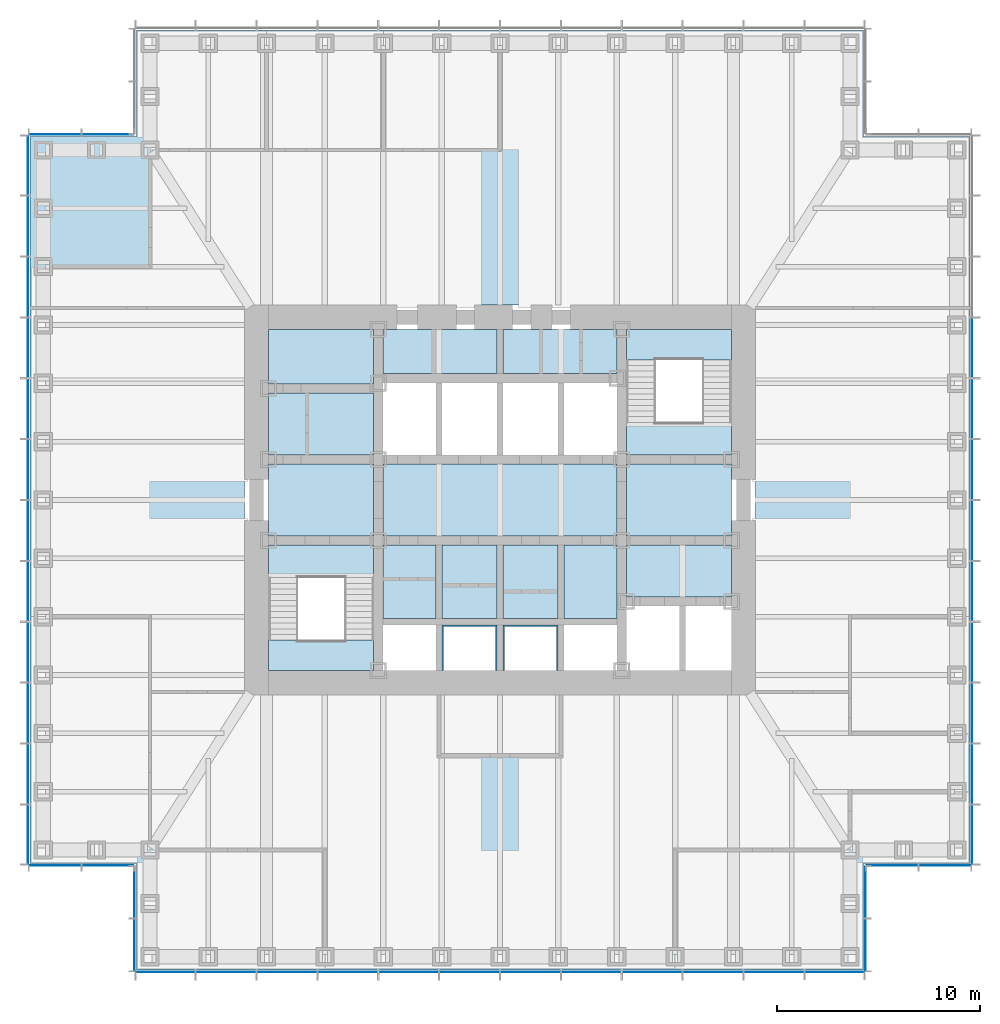
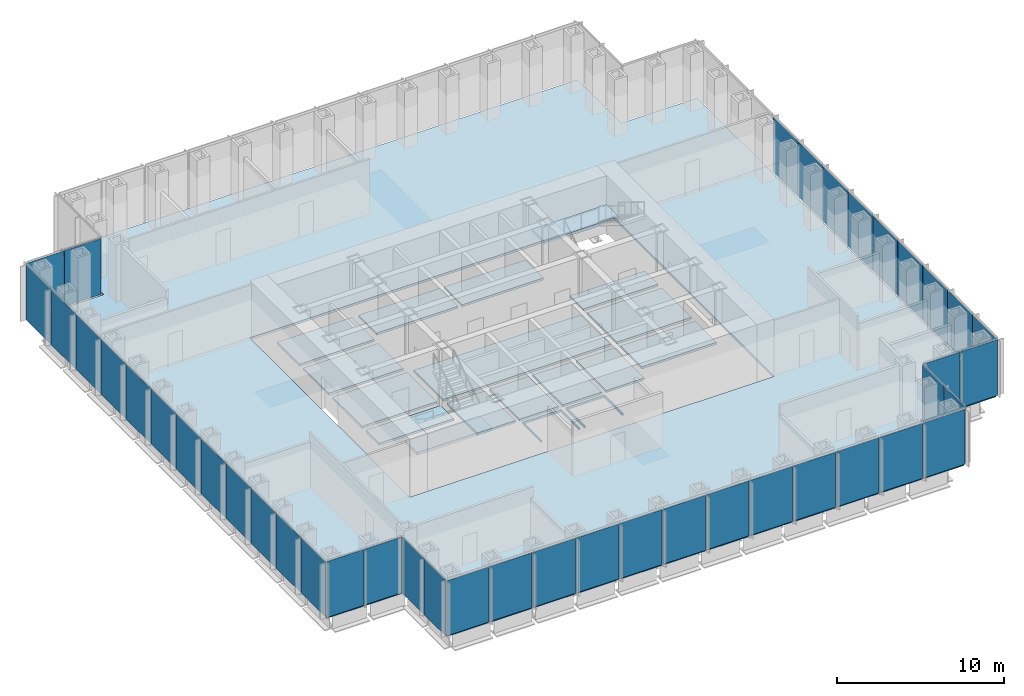
# One storey, part 7 of 16: 43 plates, 19 slabs, 10 elements without a shape of their own.
"""IFC4 building model written with IfcOpenShell, lengths in metres."""

import ifcopenshell
import ifcopenshell.guid

model = None  # the IFC model being written
_history = None  # IfcOwnerHistory: only IFC2X3 demands one
_inside = {}  # id of a spatial element -> (the spatial element, [elements in it])
_under = {}  # id of a project, library or spatial element -> (it, [spatial elements below it])
_declared = {}  # id of a project -> (the project, [libraries it declares])
_typed = {}  # id of a type object -> (the type object, [elements of that type])
_made_of = {}  # id of a material, layer set ... -> (it, [elements and type objects made of it])


def new_model(schema):
    """Start an empty IFC model of exactly this schema.

    Asked for "IFC4X3", IfcOpenShell would pick the latest addendum, in which some entities
    have other attributes; the version numbers below select the first issue.
    IFC2X3 requires an IfcOwnerHistory on every rooted entity: one is made here for all.
    """
    global model, _history
    if schema == "IFC4X3":
        model = ifcopenshell.file(schema_version=(4, 3, 0, 0))
    else:
        model = ifcopenshell.file(schema=schema)
    _inside.clear()
    _under.clear()
    _declared.clear()
    _typed.clear()
    _made_of.clear()
    _history = None
    if model.schema == "IFC2X3":
        org = make("IfcOrganization", Name="unknown")
        user = make(
            "IfcPersonAndOrganization",
            ThePerson=make("IfcPerson", FamilyName="unknown"),
            TheOrganization=org,
        )
        app = make(
            "IfcApplication",
            ApplicationDeveloper=org,
            Version="unknown",
            ApplicationFullName="unknown",
            ApplicationIdentifier="unknown",
        )
        _history = make(
            "IfcOwnerHistory",
            OwningUser=user,
            OwningApplication=app,
            ChangeAction="ADDED",
            CreationDate=0,
        )
    return model


def make(cls, **values):
    """One entity of the class cls with the attributes given. An attribute that is None is left unset."""
    return model.create_entity(
        cls, **{name: value for name, value in values.items() if value is not None}
    )


def rooted(cls, **values):
    """An entity with a GlobalId (a new one), such as an element, a storey or a relation."""
    return make(cls, GlobalId=ifcopenshell.guid.new(), OwnerHistory=_history, **values)


def si_unit(unit_type, name, prefix=None):
    """IfcSIUnit, for example si_unit("LENGTHUNIT", "METRE", prefix="MILLI")."""
    return make("IfcSIUnit", UnitType=unit_type, Prefix=prefix, Name=name)


def assignment(units):
    """IfcUnitAssignment: the units of a project."""
    return None if units is None else make("IfcUnitAssignment", Units=units)


def point(xyz):
    """IfcCartesianPoint."""
    return None if xyz is None else make("IfcCartesianPoint", Coordinates=xyz)


def direction(xyz):
    """IfcDirection."""
    return None if xyz is None else make("IfcDirection", DirectionRatios=xyz)


def frame(location, z_axis=None, x_axis=None):
    """IfcAxis2Placement3D, a coordinate frame: its origin and axes. An axis left out is left unset."""
    return make(
        "IfcAxis2Placement3D",
        Location=point(location),
        Axis=direction(z_axis),
        RefDirection=direction(x_axis),
    )


def frame_2d(location, x_axis=None):
    """IfcAxis2Placement2D, a coordinate frame in the plane: its origin and x axis."""
    return make(
        "IfcAxis2Placement2D", Location=point(location), RefDirection=direction(x_axis)
    )


def origin():
    """The frame at (0, 0, 0) with its axes left unset."""
    return frame((0.0, 0.0, 0.0))


def origin_2d():
    """The frame at (0, 0) in the plane with its x axis left unset."""
    return frame_2d((0.0, 0.0))


def place(relative_to, where):
    """IfcLocalPlacement: puts the frame where relative to a parent placement (None: the world)."""
    return make(
        "IfcLocalPlacement", PlacementRelTo=relative_to, RelativePlacement=where
    )


def context(
    kind, dimensions, precision=None, world=None, true_north=None, identifier=None
):
    """IfcGeometricRepresentationContext, for example the 3D "Model" context."""
    return make(
        "IfcGeometricRepresentationContext",
        ContextIdentifier=identifier,
        ContextType=kind,
        CoordinateSpaceDimension=dimensions,
        Precision=precision,
        WorldCoordinateSystem=world,
        TrueNorth=true_north,
    )


def subcontext(parent, identifier, kind, view, scale=None):
    """IfcGeometricRepresentationSubContext, for example "Body" below "Model"."""
    return make(
        "IfcGeometricRepresentationSubContext",
        ContextIdentifier=identifier,
        ContextType=kind,
        ParentContext=parent,
        TargetScale=scale,
        TargetView=view,
    )


def project(units=None, contexts=None):
    """IfcProject with its units and contexts."""
    return rooted(
        "IfcProject",
        Name="project",
        RepresentationContexts=contexts,
        UnitsInContext=assignment(units),
    )


def spatial(cls, under=None, at=None, **own):
    """A site, building, storey or space (cls), placed at a placement, below another one or the project."""
    s = rooted(cls, ObjectPlacement=at, **own)
    if under is not None:
        _under.setdefault(under.id(), (under, []))[1].append(s)
    return s


def polyline(points):
    """IfcPolyline through the points."""
    return make("IfcPolyline", Points=[point(p) for p in points])


def profile(cls, at=None, kind="AREA", **sizes):
    """A parametric profile (cls). Its sizes go by their IFC names, for example OverallWidth=200.0."""
    return make(cls, ProfileType=kind, Position=at, **sizes)


def rectangle(**sizes):
    """IfcRectangleProfileDef."""
    return profile("IfcRectangleProfileDef", **sizes)


def outline(outer, holes=None, kind="AREA"):
    """IfcArbitraryClosedProfileDef: a profile drawn as a closed curve; with holes, ...WithVoids."""
    if holes is None:
        return make("IfcArbitraryClosedProfileDef", ProfileType=kind, OuterCurve=outer)
    return make(
        "IfcArbitraryProfileDefWithVoids",
        ProfileType=kind,
        OuterCurve=outer,
        InnerCurves=holes,
    )


def extrude(swept, where, along, depth):
    """IfcExtrudedAreaSolid: the profile swept, set in the frame where, extruded along a direction by depth."""
    return make(
        "IfcExtrudedAreaSolid",
        SweptArea=swept,
        Position=where,
        ExtrudedDirection=direction(along),
        Depth=depth,
    )


def shape(context_of_items, identifier, shape_type, items):
    """IfcShapeRepresentation: the items that make up one representation, for example the "Body"."""
    return make(
        "IfcShapeRepresentation",
        ContextOfItems=context_of_items,
        RepresentationIdentifier=identifier,
        RepresentationType=shape_type,
        Items=items,
    )


def material(Name=None, Category=None):
    """IfcMaterial."""
    return make("IfcMaterial", Name=Name, Category=Category)


def layer(
    of_material, thickness, ventilated=None, Name=None, Category=None, Priority=None
):
    """IfcMaterialLayer: one layer of a wall or slab, of a material (None: an air gap)."""
    return make(
        "IfcMaterialLayer",
        Material=of_material,
        LayerThickness=thickness,
        IsVentilated=ventilated,
        Name=Name,
        Category=Category,
        Priority=Priority,
    )


def layer_set(layers, Name=None):
    """IfcMaterialLayerSet."""
    return make("IfcMaterialLayerSet", MaterialLayers=layers, LayerSetName=Name)


def made_of(thing, what):
    """Note that an element or type object is made of a material, layer set ...; save() writes the relation."""
    if what is not None:
        _made_of.setdefault(what.id(), (what, []))[1].append(thing)
    return thing


def type_object(cls, material=None, **own):
    """A type object (cls), such as IfcWallType, which elements share."""
    return made_of(rooted(cls, **own), material)


def element(
    cls,
    number,
    at=None,
    inside=None,
    cuts=None,
    type_object=None,
    material=None,
    context=None,
    identifier="Body",
    shape_type=None,
    held_by="IfcProductDefinitionShape",
    body=None,
    shapes=None,
    **own,
):
    """One element of the class cls, such as IfcWall. Its Tag is "e" and its number.

    at: its placement. inside: the storey or other place that contains it. cuts: it is an
    opening in that element (IfcRelVoidsElement). A single representation is given by context,
    identifier, shape_type and body (its items); several are given by shapes. held_by: the class
    of the entity that holds the representations. save() writes the other relations.
    """
    e = rooted(cls, Tag="e%d" % number, ObjectPlacement=at, **own)
    if body is not None:
        shapes = [shape(context, identifier, shape_type, body)]
    if shapes is not None:
        e.Representation = make(held_by, Representations=shapes)
    if inside is not None:
        _inside.setdefault(inside.id(), (inside, []))[1].append(e)
    if cuts is not None:
        rooted(
            "IfcRelVoidsElement", RelatingBuildingElement=cuts, RelatedOpeningElement=e
        )
    if type_object is not None:
        _typed.setdefault(type_object.id(), (type_object, []))[1].append(e)
    return made_of(e, material)


def aggregate(whole, parts):
    """IfcRelAggregates: a whole, such as a stair, and the parts it consists of."""
    return rooted("IfcRelAggregates", RelatingObject=whole, RelatedObjects=parts)


def save(model, path):
    """Write the relations noted so far, then the file.

    IfcRelAggregates (storeys below a building ...), IfcRelContainedInSpatialStructure (elements
    in a storey), IfcRelDefinesByType, IfcRelAssociatesMaterial and IfcRelDeclares: one each for
    every whole, place, type object, material and project.
    """
    for whole, parts in _under.values():
        aggregate(whole, parts)
    for where, things in _inside.values():
        rooted(
            "IfcRelContainedInSpatialStructure",
            RelatedElements=things,
            RelatingStructure=where,
        )
    for kind, things in _typed.values():
        rooted("IfcRelDefinesByType", RelatedObjects=things, RelatingType=kind)
    for what, things in _made_of.values():
        rooted("IfcRelAssociatesMaterial", RelatedObjects=things, RelatingMaterial=what)
    for by, libraries in _declared.values():
        rooted("IfcRelDeclares", RelatingContext=by, RelatedDefinitions=libraries)
    model.write(path)


model = new_model("IFC4")

# Units and contexts
model_context = context("Model", 3, precision=1e-05, world=origin(), true_north=direction((0.0, 1.0)))
body_context = subcontext(model_context, "Body", "Model", "MODEL_VIEW")
ifc_project = project(units=[si_unit("LENGTHUNIT", "METRE"), si_unit("AREAUNIT", "SQUARE_METRE"), si_unit("VOLUMEUNIT", "CUBIC_METRE"), si_unit("PLANEANGLEUNIT", "RADIAN"), si_unit("MASSUNIT", "GRAM", prefix="KILO")], contexts=[model_context])

# Site, building, storey
site_placement = place(None, origin())
site = spatial("IfcSite", under=ifc_project, at=site_placement, CompositionType="ELEMENT")
building_placement = place(site_placement, origin())
building = spatial("IfcBuilding", under=site, at=building_placement, Name="Daluyong Arena Tower", CompositionType="ELEMENT")
storey_placement = place(building_placement, frame((0.0, 0.0, 137.5)))
storey = spatial("IfcBuildingStorey", under=building, at=storey_placement, Name="L30", CompositionType="ELEMENT", Elevation=137.5)

# Curtain wall, plates
ifc_material_1 = material(Name="Bronze anodised aluminium and glass", Category="aluminium")
curtain_wall_type_1 = type_object("IfcCurtainWallType", Name="Curtain wall CW2", PredefinedType="USERDEFINED", material=ifc_material_1)
curtain_wall_1_placement = place(storey_placement, origin())
curtain_wall_1 = element("IfcCurtainWall", 1, at=curtain_wall_1_placement, inside=storey, type_object=curtain_wall_type_1, Name="curtain wall L30 S", ObjectType="UNITISED CURTAIN WALL", PredefinedType="USERDEFINED")
ifc_material_2 = material(Name="Tinted double glazed unit", Category="glass")
ifc_layer_1 = layer(ifc_material_2, 0.031982421875)
ifc_layer_set_1 = layer_set([ifc_layer_1], Name="Tinted double glazed unit")
plate_type_1 = type_object("IfcPlateType", Name="CW2 panel 32", PredefinedType="CURTAIN_PANEL", material=ifc_layer_set_1)
plate_1_placement = place(storey_placement, frame((39.52001953125, 56.75, 0.0), z_axis=(0.0, 0.0, 1.0), x_axis=(1.0, 0.0, 0.0)))
plate_1 = element("IfcPlate", 2, at=plate_1_placement, type_object=plate_type_1, Name="curtain wall L30 S panel 1", PredefinedType="CURTAIN_PANEL", context=body_context, shape_type="SweptSolid", body=[
    extrude(rectangle(XDim=2.8798828125, YDim=0.031982421875, at=origin_2d()), origin(), (0.0, 0.0, 1.0), 4.02001953125),
])
plate_2_placement = place(storey_placement, frame((42.5, 56.75, 0.0), z_axis=(0.0, 0.0, 1.0), x_axis=(1.0, 0.0, 0.0)))
plate_2 = element("IfcPlate", 3, at=plate_2_placement, type_object=plate_type_1, Name="curtain wall L30 S panel 2", PredefinedType="CURTAIN_PANEL", context=body_context, shape_type="SweptSolid", body=[
    extrude(rectangle(XDim=2.919921875, YDim=0.031982421875, at=origin_2d()), origin(), (0.0, 0.0, 1.0), 4.02001953125),
])
plate_3_placement = place(storey_placement, frame((45.5, 56.75, 0.0), z_axis=(0.0, 0.0, 1.0), x_axis=(1.0, 0.0, 0.0)))
plate_3 = element("IfcPlate", 4, at=plate_3_placement, type_object=plate_type_1, Name="curtain wall L30 S panel 3", PredefinedType="CURTAIN_PANEL", context=body_context, shape_type="SweptSolid", body=[
    extrude(rectangle(XDim=2.919921875, YDim=0.031982421875, at=origin_2d()), origin(), (0.0, 0.0, 1.0), 4.02001953125),
])
plate_4_placement = place(storey_placement, frame((48.5, 56.75, 0.0), z_axis=(0.0, 0.0, 1.0), x_axis=(1.0, 0.0, 0.0)))
plate_4 = element("IfcPlate", 5, at=plate_4_placement, type_object=plate_type_1, Name="curtain wall L30 S panel 4", PredefinedType="CURTAIN_PANEL", context=body_context, shape_type="SweptSolid", body=[
    extrude(rectangle(XDim=2.919921875, YDim=0.031982421875, at=origin_2d()), origin(), (0.0, 0.0, 1.0), 4.02001953125),
])
plate_5_placement = place(storey_placement, frame((51.5, 56.75, 0.0), z_axis=(0.0, 0.0, 1.0), x_axis=(1.0, 0.0, 0.0)))
plate_5 = element("IfcPlate", 6, at=plate_5_placement, type_object=plate_type_1, Name="curtain wall L30 S panel 5", PredefinedType="CURTAIN_PANEL", context=body_context, shape_type="SweptSolid", body=[
    extrude(rectangle(XDim=2.919921875, YDim=0.031982421875, at=origin_2d()), origin(), (0.0, 0.0, 1.0), 4.02001953125),
])
plate_6_placement = place(storey_placement, frame((54.5, 56.75, 0.0), z_axis=(0.0, 0.0, 1.0), x_axis=(1.0, 0.0, 0.0)))
plate_6 = element("IfcPlate", 7, at=plate_6_placement, type_object=plate_type_1, Name="curtain wall L30 S panel 6", PredefinedType="CURTAIN_PANEL", context=body_context, shape_type="SweptSolid", body=[
    extrude(rectangle(XDim=2.919921875, YDim=0.031982421875, at=origin_2d()), origin(), (0.0, 0.0, 1.0), 4.02001953125),
])
plate_7_placement = place(storey_placement, frame((57.5, 56.75, 0.0), z_axis=(0.0, 0.0, 1.0), x_axis=(1.0, 0.0, 0.0)))
plate_7 = element("IfcPlate", 8, at=plate_7_placement, type_object=plate_type_1, Name="curtain wall L30 S panel 7", PredefinedType="CURTAIN_PANEL", context=body_context, shape_type="SweptSolid", body=[
    extrude(rectangle(XDim=2.919921875, YDim=0.031982421875, at=origin_2d()), origin(), (0.0, 0.0, 1.0), 4.02001953125),
])
plate_8_placement = place(storey_placement, frame((60.5, 56.75, 0.0), z_axis=(0.0, 0.0, 1.0), x_axis=(1.0, 0.0, 0.0)))
plate_8 = element("IfcPlate", 9, at=plate_8_placement, type_object=plate_type_1, Name="curtain wall L30 S panel 8", PredefinedType="CURTAIN_PANEL", context=body_context, shape_type="SweptSolid", body=[
    extrude(rectangle(XDim=2.919921875, YDim=0.031982421875, at=origin_2d()), origin(), (0.0, 0.0, 1.0), 4.02001953125),
])
plate_9_placement = place(storey_placement, frame((63.5, 56.75, 0.0), z_axis=(0.0, 0.0, 1.0), x_axis=(1.0, 0.0, 0.0)))
plate_9 = element("IfcPlate", 10, at=plate_9_placement, type_object=plate_type_1, Name="curtain wall L30 S panel 9", PredefinedType="CURTAIN_PANEL", context=body_context, shape_type="SweptSolid", body=[
    extrude(rectangle(XDim=2.919921875, YDim=0.031982421875, at=origin_2d()), origin(), (0.0, 0.0, 1.0), 4.02001953125),
])
plate_10_placement = place(storey_placement, frame((66.5, 56.75, 0.0), z_axis=(0.0, 0.0, 1.0), x_axis=(1.0, 0.0, 0.0)))
plate_10 = element("IfcPlate", 11, at=plate_10_placement, type_object=plate_type_1, Name="curtain wall L30 S panel 10", PredefinedType="CURTAIN_PANEL", context=body_context, shape_type="SweptSolid", body=[
    extrude(rectangle(XDim=2.919921875, YDim=0.031982421875, at=origin_2d()), origin(), (0.0, 0.0, 1.0), 4.02001953125),
])
plate_11_placement = place(storey_placement, frame((69.5, 56.75, 0.0), z_axis=(0.0, 0.0, 1.0), x_axis=(1.0, 0.0, 0.0)))
plate_11 = element("IfcPlate", 12, at=plate_11_placement, type_object=plate_type_1, Name="curtain wall L30 S panel 11", PredefinedType="CURTAIN_PANEL", context=body_context, shape_type="SweptSolid", body=[
    extrude(rectangle(XDim=2.919921875, YDim=0.031982421875, at=origin_2d()), origin(), (0.0, 0.0, 1.0), 4.02001953125),
])
plate_12_placement = place(storey_placement, frame((72.47998046875, 56.75, 0.0), z_axis=(0.0, 0.0, 1.0), x_axis=(1.0, 0.0, 0.0)))
plate_12 = element("IfcPlate", 13, at=plate_12_placement, type_object=plate_type_1, Name="curtain wall L30 S panel 12", PredefinedType="CURTAIN_PANEL", context=body_context, shape_type="SweptSolid", body=[
    extrude(rectangle(XDim=2.8798828125, YDim=0.031982421875, at=origin_2d()), origin(), (0.0, 0.0, 1.0), 4.02001953125),
])
aggregate(curtain_wall_1, [plate_1, plate_2, plate_3, plate_4, plate_5, plate_6, plate_7, plate_8, plate_9, plate_10, plate_11, plate_12])

curtain_wall_2_placement = place(storey_placement, origin())
curtain_wall_2 = element("IfcCurtainWall", 14, at=curtain_wall_2_placement, inside=storey, type_object=curtain_wall_type_1, Name="curtain wall L30 E", ObjectType="UNITISED CURTAIN WALL", PredefinedType="USERDEFINED")
plate_13_placement = place(storey_placement, frame((79.25, 63.52001953125, 0.0), z_axis=(0.0, 0.0, 1.0), x_axis=(0.0, 1.0, 0.0)))
plate_13 = element("IfcPlate", 15, at=plate_13_placement, type_object=plate_type_1, Name="curtain wall L30 E panel 1", PredefinedType="CURTAIN_PANEL", context=body_context, shape_type="SweptSolid", body=[
    extrude(rectangle(XDim=2.8798828125, YDim=0.031982421875, at=origin_2d()), origin(), (0.0, 0.0, 1.0), 4.02001953125),
])
plate_14_placement = place(storey_placement, frame((79.25, 66.5, 0.0), z_axis=(0.0, 0.0, 1.0), x_axis=(0.0, 1.0, 0.0)))
plate_14 = element("IfcPlate", 16, at=plate_14_placement, type_object=plate_type_1, Name="curtain wall L30 E panel 2", PredefinedType="CURTAIN_PANEL", context=body_context, shape_type="SweptSolid", body=[
    extrude(rectangle(XDim=2.919921875, YDim=0.031982421875, at=origin_2d()), origin(), (0.0, 0.0, 1.0), 4.02001953125),
])
plate_15_placement = place(storey_placement, frame((79.25, 69.5, 0.0), z_axis=(0.0, 0.0, 1.0), x_axis=(0.0, 1.0, 0.0)))
plate_15 = element("IfcPlate", 17, at=plate_15_placement, type_object=plate_type_1, Name="curtain wall L30 E panel 3", PredefinedType="CURTAIN_PANEL", context=body_context, shape_type="SweptSolid", body=[
    extrude(rectangle(XDim=2.919921875, YDim=0.031982421875, at=origin_2d()), origin(), (0.0, 0.0, 1.0), 4.02001953125),
])
plate_16_placement = place(storey_placement, frame((79.25, 72.5, 0.0), z_axis=(0.0, 0.0, 1.0), x_axis=(0.0, 1.0, 0.0)))
plate_16 = element("IfcPlate", 18, at=plate_16_placement, type_object=plate_type_1, Name="curtain wall L30 E panel 4", PredefinedType="CURTAIN_PANEL", context=body_context, shape_type="SweptSolid", body=[
    extrude(rectangle(XDim=2.919921875, YDim=0.031982421875, at=origin_2d()), origin(), (0.0, 0.0, 1.0), 4.02001953125),
])
plate_17_placement = place(storey_placement, frame((79.25, 75.5, 0.0), z_axis=(0.0, 0.0, 1.0), x_axis=(0.0, 1.0, 0.0)))
plate_17 = element("IfcPlate", 19, at=plate_17_placement, type_object=plate_type_1, Name="curtain wall L30 E panel 5", PredefinedType="CURTAIN_PANEL", context=body_context, shape_type="SweptSolid", body=[
    extrude(rectangle(XDim=2.919921875, YDim=0.031982421875, at=origin_2d()), origin(), (0.0, 0.0, 1.0), 4.02001953125),
])
plate_18_placement = place(storey_placement, frame((79.25, 78.5, 0.0), z_axis=(0.0, 0.0, 1.0), x_axis=(0.0, 1.0, 0.0)))
plate_18 = element("IfcPlate", 20, at=plate_18_placement, type_object=plate_type_1, Name="curtain wall L30 E panel 6", PredefinedType="CURTAIN_PANEL", context=body_context, shape_type="SweptSolid", body=[
    extrude(rectangle(XDim=2.919921875, YDim=0.031982421875, at=origin_2d()), origin(), (0.0, 0.0, 1.0), 4.02001953125),
])
plate_19_placement = place(storey_placement, frame((79.25, 81.5, 0.0), z_axis=(0.0, 0.0, 1.0), x_axis=(0.0, 1.0, 0.0)))
plate_19 = element("IfcPlate", 21, at=plate_19_placement, type_object=plate_type_1, Name="curtain wall L30 E panel 7", PredefinedType="CURTAIN_PANEL", context=body_context, shape_type="SweptSolid", body=[
    extrude(rectangle(XDim=2.919921875, YDim=0.031982421875, at=origin_2d()), origin(), (0.0, 0.0, 1.0), 4.02001953125),
])
plate_20_placement = place(storey_placement, frame((79.25, 84.5, 0.0), z_axis=(0.0, 0.0, 1.0), x_axis=(0.0, 1.0, 0.0)))
plate_20 = element("IfcPlate", 22, at=plate_20_placement, type_object=plate_type_1, Name="curtain wall L30 E panel 8", PredefinedType="CURTAIN_PANEL", context=body_context, shape_type="SweptSolid", body=[
    extrude(rectangle(XDim=2.919921875, YDim=0.031982421875, at=origin_2d()), origin(), (0.0, 0.0, 1.0), 4.02001953125),
])
plate_21_placement = place(storey_placement, frame((79.25, 87.5, 0.0), z_axis=(0.0, 0.0, 1.0), x_axis=(0.0, 1.0, 0.0)))
plate_21 = element("IfcPlate", 23, at=plate_21_placement, type_object=plate_type_1, Name="curtain wall L30 E panel 9", PredefinedType="CURTAIN_PANEL", context=body_context, shape_type="SweptSolid", body=[
    extrude(rectangle(XDim=2.919921875, YDim=0.031982421875, at=origin_2d()), origin(), (0.0, 0.0, 1.0), 4.02001953125),
])
aggregate(curtain_wall_2, [plate_13, plate_14, plate_15, plate_16, plate_17, plate_18, plate_19, plate_20, plate_21])

curtain_wall_3_placement = place(storey_placement, origin())
curtain_wall_3 = element("IfcCurtainWall", 24, at=curtain_wall_3_placement, inside=storey, type_object=curtain_wall_type_1, Name="curtain wall L30 W", ObjectType="UNITISED CURTAIN WALL", PredefinedType="USERDEFINED")
plate_22_placement = place(storey_placement, frame((32.75, 96.47998046875, 0.0), z_axis=(0.0, 0.0, 1.0), x_axis=(0.0, -1.0, 0.0)))
plate_22 = element("IfcPlate", 25, at=plate_22_placement, type_object=plate_type_1, Name="curtain wall L30 W panel 1", PredefinedType="CURTAIN_PANEL", context=body_context, shape_type="SweptSolid", body=[
    extrude(rectangle(XDim=2.8798828125, YDim=0.031982421875, at=origin_2d()), origin(), (0.0, 0.0, 1.0), 4.02001953125),
])
plate_23_placement = place(storey_placement, frame((32.75, 93.5, 0.0), z_axis=(0.0, 0.0, 1.0), x_axis=(0.0, -1.0, 0.0)))
plate_23 = element("IfcPlate", 26, at=plate_23_placement, type_object=plate_type_1, Name="curtain wall L30 W panel 2", PredefinedType="CURTAIN_PANEL", context=body_context, shape_type="SweptSolid", body=[
    extrude(rectangle(XDim=2.919921875, YDim=0.031982421875, at=origin_2d()), origin(), (0.0, 0.0, 1.0), 4.02001953125),
])
plate_24_placement = place(storey_placement, frame((32.75, 90.5, 0.0), z_axis=(0.0, 0.0, 1.0), x_axis=(0.0, -1.0, 0.0)))
plate_24 = element("IfcPlate", 27, at=plate_24_placement, type_object=plate_type_1, Name="curtain wall L30 W panel 3", PredefinedType="CURTAIN_PANEL", context=body_context, shape_type="SweptSolid", body=[
    extrude(rectangle(XDim=2.919921875, YDim=0.031982421875, at=origin_2d()), origin(), (0.0, 0.0, 1.0), 4.02001953125),
])
plate_25_placement = place(storey_placement, frame((32.75, 87.5, 0.0), z_axis=(0.0, 0.0, 1.0), x_axis=(0.0, -1.0, 0.0)))
plate_25 = element("IfcPlate", 28, at=plate_25_placement, type_object=plate_type_1, Name="curtain wall L30 W panel 4", PredefinedType="CURTAIN_PANEL", context=body_context, shape_type="SweptSolid", body=[
    extrude(rectangle(XDim=2.919921875, YDim=0.031982421875, at=origin_2d()), origin(), (0.0, 0.0, 1.0), 4.02001953125),
])
plate_26_placement = place(storey_placement, frame((32.75, 84.5, 0.0), z_axis=(0.0, 0.0, 1.0), x_axis=(0.0, -1.0, 0.0)))
plate_26 = element("IfcPlate", 29, at=plate_26_placement, type_object=plate_type_1, Name="curtain wall L30 W panel 5", PredefinedType="CURTAIN_PANEL", context=body_context, shape_type="SweptSolid", body=[
    extrude(rectangle(XDim=2.919921875, YDim=0.031982421875, at=origin_2d()), origin(), (0.0, 0.0, 1.0), 4.02001953125),
])
plate_27_placement = place(storey_placement, frame((32.75, 81.5, 0.0), z_axis=(0.0, 0.0, 1.0), x_axis=(0.0, -1.0, 0.0)))
plate_27 = element("IfcPlate", 30, at=plate_27_placement, type_object=plate_type_1, Name="curtain wall L30 W panel 6", PredefinedType="CURTAIN_PANEL", context=body_context, shape_type="SweptSolid", body=[
    extrude(rectangle(XDim=2.919921875, YDim=0.031982421875, at=origin_2d()), origin(), (0.0, 0.0, 1.0), 4.02001953125),
])
plate_28_placement = place(storey_placement, frame((32.75, 78.5, 0.0), z_axis=(0.0, 0.0, 1.0), x_axis=(0.0, -1.0, 0.0)))
plate_28 = element("IfcPlate", 31, at=plate_28_placement, type_object=plate_type_1, Name="curtain wall L30 W panel 7", PredefinedType="CURTAIN_PANEL", context=body_context, shape_type="SweptSolid", body=[
    extrude(rectangle(XDim=2.919921875, YDim=0.031982421875, at=origin_2d()), origin(), (0.0, 0.0, 1.0), 4.02001953125),
])
plate_29_placement = place(storey_placement, frame((32.75, 75.5, 0.0), z_axis=(0.0, 0.0, 1.0), x_axis=(0.0, -1.0, 0.0)))
plate_29 = element("IfcPlate", 32, at=plate_29_placement, type_object=plate_type_1, Name="curtain wall L30 W panel 8", PredefinedType="CURTAIN_PANEL", context=body_context, shape_type="SweptSolid", body=[
    extrude(rectangle(XDim=2.919921875, YDim=0.031982421875, at=origin_2d()), origin(), (0.0, 0.0, 1.0), 4.02001953125),
])
plate_30_placement = place(storey_placement, frame((32.75, 72.5, 0.0), z_axis=(0.0, 0.0, 1.0), x_axis=(0.0, -1.0, 0.0)))
plate_30 = element("IfcPlate", 33, at=plate_30_placement, type_object=plate_type_1, Name="curtain wall L30 W panel 9", PredefinedType="CURTAIN_PANEL", context=body_context, shape_type="SweptSolid", body=[
    extrude(rectangle(XDim=2.919921875, YDim=0.031982421875, at=origin_2d()), origin(), (0.0, 0.0, 1.0), 4.02001953125),
])
plate_31_placement = place(storey_placement, frame((32.75, 69.5, 0.0), z_axis=(0.0, 0.0, 1.0), x_axis=(0.0, -1.0, 0.0)))
plate_31 = element("IfcPlate", 34, at=plate_31_placement, type_object=plate_type_1, Name="curtain wall L30 W panel 10", PredefinedType="CURTAIN_PANEL", context=body_context, shape_type="SweptSolid", body=[
    extrude(rectangle(XDim=2.919921875, YDim=0.031982421875, at=origin_2d()), origin(), (0.0, 0.0, 1.0), 4.02001953125),
])
plate_32_placement = place(storey_placement, frame((32.75, 66.5, 0.0), z_axis=(0.0, 0.0, 1.0), x_axis=(0.0, -1.0, 0.0)))
plate_32 = element("IfcPlate", 35, at=plate_32_placement, type_object=plate_type_1, Name="curtain wall L30 W panel 11", PredefinedType="CURTAIN_PANEL", context=body_context, shape_type="SweptSolid", body=[
    extrude(rectangle(XDim=2.919921875, YDim=0.031982421875, at=origin_2d()), origin(), (0.0, 0.0, 1.0), 4.02001953125),
])
plate_33_placement = place(storey_placement, frame((32.75, 63.52001953125, 0.0), z_axis=(0.0, 0.0, 1.0), x_axis=(0.0, -1.0, 0.0)))
plate_33 = element("IfcPlate", 36, at=plate_33_placement, type_object=plate_type_1, Name="curtain wall L30 W panel 12", PredefinedType="CURTAIN_PANEL", context=body_context, shape_type="SweptSolid", body=[
    extrude(rectangle(XDim=2.8798828125, YDim=0.031982421875, at=origin_2d()), origin(), (0.0, 0.0, 1.0), 4.02001953125),
])
aggregate(curtain_wall_3, [plate_22, plate_23, plate_24, plate_25, plate_26, plate_27, plate_28, plate_29, plate_30, plate_31, plate_32, plate_33])

ifc_material_3 = material(Name="Bronze anodised aluminium and glass", Category="aluminium")
curtain_wall_type_2 = type_object("IfcCurtainWallType", Name="Curtain wall CW7", PredefinedType="USERDEFINED", material=ifc_material_3)
curtain_wall_4_placement = place(storey_placement, origin())
curtain_wall_4 = element("IfcCurtainWall", 37, at=curtain_wall_4_placement, inside=storey, type_object=curtain_wall_type_2, Name="curtain wall L30 SE-E", ObjectType="UNITISED CURTAIN WALL", PredefinedType="USERDEFINED")
ifc_material_4 = material(Name="Tinted double glazed unit", Category="glass")
ifc_layer_2 = layer(ifc_material_4, 0.028076171875)
ifc_layer_set_2 = layer_set([ifc_layer_2], Name="Tinted double glazed unit")
plate_type_2 = type_object("IfcPlateType", Name="CW7 panel 28", PredefinedType="CURTAIN_PANEL", material=ifc_layer_set_2)
plate_34_placement = place(storey_placement, frame((74.0, 58.077392578125, 0.0), z_axis=(0.0, 0.0, 1.0), x_axis=(0.0, 1.0, 0.0)))
plate_34 = element("IfcPlate", 38, at=plate_34_placement, type_object=plate_type_2, Name="curtain wall L30 SE-E panel 1", PredefinedType="CURTAIN_PANEL", context=body_context, shape_type="SweptSolid", body=[
    extrude(rectangle(XDim=2.534912109375, YDim=0.028076171875, at=origin_2d()), origin(), (0.0, 0.0, 1.0), 4.080078125),
])
plate_35_placement = place(storey_placement, frame((74.0, 60.672607421875, 0.0), z_axis=(0.0, 0.0, 1.0), x_axis=(0.0, 1.0, 0.0)))
plate_35 = element("IfcPlate", 39, at=plate_35_placement, type_object=plate_type_2, Name="curtain wall L30 SE-E panel 2", PredefinedType="CURTAIN_PANEL", context=body_context, shape_type="SweptSolid", body=[
    extrude(rectangle(XDim=2.534912109375, YDim=0.028076171875, at=origin_2d()), origin(), (0.0, 0.0, 1.0), 4.080078125),
])
aggregate(curtain_wall_4, [plate_34, plate_35])

curtain_wall_5_placement = place(storey_placement, origin())
curtain_wall_5 = element("IfcCurtainWall", 40, at=curtain_wall_5_placement, inside=storey, type_object=curtain_wall_type_2, Name="curtain wall L30 SE-S", ObjectType="UNITISED CURTAIN WALL", PredefinedType="USERDEFINED")
plate_36_placement = place(storey_placement, frame((75.327392578125, 62.0, 0.0), z_axis=(0.0, 0.0, 1.0), x_axis=(1.0, 0.0, 0.0)))
plate_36 = element("IfcPlate", 41, at=plate_36_placement, type_object=plate_type_2, Name="curtain wall L30 SE-S panel 1", PredefinedType="CURTAIN_PANEL", context=body_context, shape_type="SweptSolid", body=[
    extrude(rectangle(XDim=2.534912109375, YDim=0.028076171875, at=origin_2d()), origin(), (0.0, 0.0, 1.0), 4.080078125),
])
plate_37_placement = place(storey_placement, frame((77.922607421875, 62.0, 0.0), z_axis=(0.0, 0.0, 1.0), x_axis=(1.0, 0.0, 0.0)))
plate_37 = element("IfcPlate", 42, at=plate_37_placement, type_object=plate_type_2, Name="curtain wall L30 SE-S panel 2", PredefinedType="CURTAIN_PANEL", context=body_context, shape_type="SweptSolid", body=[
    extrude(rectangle(XDim=2.534912109375, YDim=0.028076171875, at=origin_2d()), origin(), (0.0, 0.0, 1.0), 4.080078125),
])
aggregate(curtain_wall_5, [plate_36, plate_37])

curtain_wall_6_placement = place(storey_placement, origin())
curtain_wall_6 = element("IfcCurtainWall", 43, at=curtain_wall_6_placement, inside=storey, type_object=curtain_wall_type_2, Name="curtain wall L30 NW-N", ObjectType="UNITISED CURTAIN WALL", PredefinedType="USERDEFINED")
plate_38_placement = place(storey_placement, frame((36.672607421875, 98.0, 0.0), z_axis=(0.0, 0.0, 1.0), x_axis=(-1.0, 0.0, 0.0)))
plate_38 = element("IfcPlate", 44, at=plate_38_placement, type_object=plate_type_2, Name="curtain wall L30 NW-N panel 1", PredefinedType="CURTAIN_PANEL", context=body_context, shape_type="SweptSolid", body=[
    extrude(rectangle(XDim=2.534912109375, YDim=0.028076171875, at=origin_2d()), origin(), (0.0, 0.0, 1.0), 4.080078125),
])
plate_39_placement = place(storey_placement, frame((34.077392578125, 98.0, 0.0), z_axis=(0.0, 0.0, 1.0), x_axis=(-1.0, 0.0, 0.0)))
plate_39 = element("IfcPlate", 45, at=plate_39_placement, type_object=plate_type_2, Name="curtain wall L30 NW-N panel 2", PredefinedType="CURTAIN_PANEL", context=body_context, shape_type="SweptSolid", body=[
    extrude(rectangle(XDim=2.534912109375, YDim=0.028076171875, at=origin_2d()), origin(), (0.0, 0.0, 1.0), 4.080078125),
])
aggregate(curtain_wall_6, [plate_38, plate_39])

curtain_wall_7_placement = place(storey_placement, origin())
curtain_wall_7 = element("IfcCurtainWall", 46, at=curtain_wall_7_placement, inside=storey, type_object=curtain_wall_type_2, Name="curtain wall L30 SW-S", ObjectType="UNITISED CURTAIN WALL", PredefinedType="USERDEFINED")
plate_40_placement = place(storey_placement, frame((34.077392578125, 62.0, 0.0), z_axis=(0.0, 0.0, 1.0), x_axis=(1.0, 0.0, 0.0)))
plate_40 = element("IfcPlate", 47, at=plate_40_placement, type_object=plate_type_2, Name="curtain wall L30 SW-S panel 1", PredefinedType="CURTAIN_PANEL", context=body_context, shape_type="SweptSolid", body=[
    extrude(rectangle(XDim=2.534912109375, YDim=0.028076171875, at=origin_2d()), origin(), (0.0, 0.0, 1.0), 4.080078125),
])
plate_41_placement = place(storey_placement, frame((36.672607421875, 62.0, 0.0), z_axis=(0.0, 0.0, 1.0), x_axis=(1.0, 0.0, 0.0)))
plate_41 = element("IfcPlate", 48, at=plate_41_placement, type_object=plate_type_2, Name="curtain wall L30 SW-S panel 2", PredefinedType="CURTAIN_PANEL", context=body_context, shape_type="SweptSolid", body=[
    extrude(rectangle(XDim=2.534912109375, YDim=0.028076171875, at=origin_2d()), origin(), (0.0, 0.0, 1.0), 4.080078125),
])
aggregate(curtain_wall_7, [plate_40, plate_41])

curtain_wall_8_placement = place(storey_placement, origin())
curtain_wall_8 = element("IfcCurtainWall", 49, at=curtain_wall_8_placement, inside=storey, type_object=curtain_wall_type_2, Name="curtain wall L30 SW-W", ObjectType="UNITISED CURTAIN WALL", PredefinedType="USERDEFINED")
plate_42_placement = place(storey_placement, frame((38.0, 60.672607421875, 0.0), z_axis=(0.0, 0.0, 1.0), x_axis=(0.0, -1.0, 0.0)))
plate_42 = element("IfcPlate", 50, at=plate_42_placement, type_object=plate_type_2, Name="curtain wall L30 SW-W panel 1", PredefinedType="CURTAIN_PANEL", context=body_context, shape_type="SweptSolid", body=[
    extrude(rectangle(XDim=2.534912109375, YDim=0.028076171875, at=origin_2d()), origin(), (0.0, 0.0, 1.0), 4.080078125),
])
plate_43_placement = place(storey_placement, frame((38.0, 58.077392578125, 0.0), z_axis=(0.0, 0.0, 1.0), x_axis=(0.0, -1.0, 0.0)))
plate_43 = element("IfcPlate", 51, at=plate_43_placement, type_object=plate_type_2, Name="curtain wall L30 SW-W panel 2", PredefinedType="CURTAIN_PANEL", context=body_context, shape_type="SweptSolid", body=[
    extrude(rectangle(XDim=2.534912109375, YDim=0.028076171875, at=origin_2d()), origin(), (0.0, 0.0, 1.0), 4.080078125),
])
aggregate(curtain_wall_8, [plate_42, plate_43])

# Stair, slab
ifc_material_5 = material(Name="Concrete fc' 35 MPa", Category="concrete")
stair_type = type_object("IfcStairType", Name="Core exit stair", PredefinedType="HALF_TURN_STAIR", material=ifc_material_5)
stair_1_placement = place(storey_placement, origin())
stair_1 = element("IfcStair", 52, at=stair_1_placement, inside=storey, type_object=stair_type, Name="exit stair A L30", PredefinedType="HALF_TURN_STAIR")
ifc_material_6 = material(Name="Concrete fc' 35 MPa", Category="concrete")
ifc_layer_3 = layer(ifc_material_6, 0.199951171875)
ifc_layer_set_3 = layer_set([ifc_layer_3], Name="Concrete fc' 35 MPa")
slab_type_1 = type_object("IfcSlabType", Name="Stair landing 200", PredefinedType="LANDING", material=ifc_layer_set_3)
slab_1_placement = place(storey_placement, frame((0.0, 0.0, 1.89990234375)))
slab_1 = element("IfcSlab", 53, at=slab_1_placement, type_object=slab_type_1, Name="STA landing 1", PredefinedType="LANDING", context=body_context, shape_type="SweptSolid", body=[
    extrude(outline(polyline([(44.60009765625, 71.60009765625), (49.77490234375, 71.60009765625), (49.77490234375, 73.094970703125), (44.60009765625, 73.094970703125), (44.60009765625, 71.60009765625)])), origin(), (0.0, 0.0, 1.0), 0.2001953125),
])
aggregate(stair_1, [slab_1])

stair_2_placement = place(storey_placement, origin())
stair_2 = element("IfcStair", 54, at=stair_2_placement, inside=storey, type_object=stair_type, Name="exit stair B L30", PredefinedType="HALF_TURN_STAIR")
slab_2_placement = place(storey_placement, frame((0.0, 0.0, 1.89990234375)))
slab_2 = element("IfcSlab", 55, at=slab_2_placement, type_object=slab_type_1, Name="STB landing 1", PredefinedType="LANDING", context=body_context, shape_type="SweptSolid", body=[
    extrude(outline(polyline([(62.22509765625, 86.905029296875), (67.39990234375, 86.905029296875), (67.39990234375, 88.39990234375), (62.22509765625, 88.39990234375), (62.22509765625, 86.905029296875)])), origin(), (0.0, 0.0, 1.0), 0.2001953125),
])
aggregate(stair_2, [slab_2])

# Slabs
ifc_material_7 = material(Name="Concrete fc' 35 MPa", Category="concrete")
ifc_layer_4 = layer(ifc_material_7, 0.159912109375)
ifc_layer_set_4 = layer_set([ifc_layer_4], Name="Concrete fc' 35 MPa")
slab_type_2 = type_object("IfcSlabType", Name="Tower floor slab 160", PredefinedType="FLOOR", material=ifc_layer_set_4)
slab_3_placement = place(storey_placement, frame((0.0, 0.0, -0.159912109375)))
element("IfcSlab", 56, at=slab_3_placement, inside=storey, type_object=slab_type_2, Name="floor L30 part 1", PredefinedType="FLOOR", context=body_context, shape_type="SweptSolid", body=[
    extrude(outline(polyline([(49.77490234375, 76.175048828125), (49.77490234375, 77.77490234375), (44.60009765625, 77.77490234375), (44.60009765625, 76.175048828125), (49.77490234375, 76.175048828125)])), origin(), (0.0, 0.0, 1.0), 0.159912109375),
])
slab_4_placement = place(storey_placement, frame((0.0, 0.0, -0.159912109375)))
element("IfcSlab", 57, at=slab_4_placement, inside=storey, type_object=slab_type_2, Name="floor L30 part 2", PredefinedType="FLOOR", context=body_context, shape_type="SweptSolid", body=[
    extrude(outline(polyline([(44.60009765625, 78.22509765625), (49.77490234375, 78.22509765625), (49.77490234375, 81.77490234375), (44.60009765625, 81.77490234375), (44.60009765625, 78.22509765625)])), origin(), (0.0, 0.0, 1.0), 0.159912109375),
])
slab_5_placement = place(storey_placement, frame((0.0, 0.0, -0.159912109375)))
element("IfcSlab", 58, at=slab_5_placement, inside=storey, type_object=slab_type_2, Name="floor L30 part 3", PredefinedType="FLOOR", context=body_context, shape_type="SweptSolid", body=[
    extrude(outline(polyline([(44.60009765625, 82.22509765625), (49.77490234375, 82.22509765625), (49.77490234375, 85.27490234375), (44.60009765625, 85.27490234375), (44.60009765625, 82.22509765625)])), origin(), (0.0, 0.0, 1.0), 0.159912109375),
])
slab_6_placement = place(storey_placement, frame((0.0, 0.0, -0.159912109375)))
element("IfcSlab", 59, at=slab_6_placement, inside=storey, type_object=slab_type_2, Name="floor L30 part 4", PredefinedType="FLOOR", context=body_context, shape_type="SweptSolid", body=[
    extrude(outline(polyline([(49.77490234375, 88.39990234375), (44.60009765625, 88.39990234375), (44.60009765625, 85.72509765625), (49.77490234375, 85.72509765625), (49.77490234375, 88.39990234375)])), origin(), (0.0, 0.0, 1.0), 0.159912109375),
])
slab_7_placement = place(storey_placement, frame((0.0, 0.0, -0.159912109375)))
element("IfcSlab", 60, at=slab_7_placement, inside=storey, type_object=slab_type_2, Name="floor L30 part 5", PredefinedType="FLOOR", context=body_context, shape_type="SweptSolid", body=[
    extrude(outline(polyline([(52.85009765625, 77.77490234375), (50.22509765625, 77.77490234375), (50.22509765625, 74.14990234375), (52.85009765625, 74.14990234375), (52.85009765625, 77.77490234375)])), origin(), (0.0, 0.0, 1.0), 0.159912109375),
])
slab_8_placement = place(storey_placement, frame((0.0, 0.0, -0.159912109375)))
element("IfcSlab", 61, at=slab_8_placement, inside=storey, type_object=slab_type_2, Name="floor L30 part 6", PredefinedType="FLOOR", context=body_context, shape_type="SweptSolid", body=[
    extrude(outline(polyline([(55.85009765625, 88.39990234375), (50.22509765625, 88.39990234375), (50.22509765625, 86.22509765625), (55.85009765625, 86.22509765625), (55.85009765625, 88.39990234375)])), origin(), (0.0, 0.0, 1.0), 0.159912109375),
])
slab_9_placement = place(storey_placement, frame((0.0, 0.0, -0.159912109375)))
element("IfcSlab", 62, at=slab_9_placement, inside=storey, type_object=slab_type_2, Name="floor L30 part 7", PredefinedType="FLOOR", context=body_context, shape_type="SweptSolid", body=[
    extrude(outline(polyline([(55.77490234375, 73.77490234375), (55.77490234375, 71.60009765625), (55.85009765625, 71.60009765625), (55.85009765625, 73.85009765625), (53.14990234375, 73.85009765625), (53.14990234375, 71.60009765625), (53.22509765625, 71.60009765625), (53.22509765625, 73.77490234375), (55.77490234375, 73.77490234375)])), origin(), (0.0, 0.0, 1.0), 0.159912109375),
])
slab_10_placement = place(storey_placement, frame((0.0, 0.0, -0.159912109375)))
element("IfcSlab", 63, at=slab_10_placement, inside=storey, type_object=slab_type_2, Name="floor L30 part 8", PredefinedType="FLOOR", context=body_context, shape_type="SweptSolid", body=[
    extrude(outline(polyline([(55.85009765625, 77.77490234375), (53.14990234375, 77.77490234375), (53.14990234375, 74.14990234375), (55.85009765625, 74.14990234375), (55.85009765625, 77.77490234375)])), origin(), (0.0, 0.0, 1.0), 0.159912109375),
])
slab_11_placement = place(storey_placement, frame((0.0, 0.0, -0.159912109375)))
element("IfcSlab", 64, at=slab_11_placement, inside=storey, type_object=slab_type_2, Name="floor L30 part 9", PredefinedType="FLOOR", context=body_context, shape_type="SweptSolid", body=[
    extrude(outline(polyline([(38.10009765625, 62.10009765625), (38.10009765625, 56.85009765625), (73.89990234375, 56.85009765625), (73.89990234375, 62.10009765625), (79.14990234375, 62.10009765625), (79.14990234375, 97.89990234375), (73.89990234375, 97.89990234375), (73.89990234375, 103.14990234375), (38.10009765625, 103.14990234375), (38.10009765625, 97.89990234375), (32.85009765625, 97.89990234375), (32.85009765625, 62.10009765625), (38.10009765625, 62.10009765625)]), holes=[polyline([(68.60009765625, 89.60009765625), (68.60009765625, 70.39990234375), (43.39990234375, 70.39990234375), (43.39990234375, 89.60009765625), (68.60009765625, 89.60009765625)])]), origin(), (0.0, 0.0, 1.0), 0.159912109375),
])
slab_12_placement = place(storey_placement, frame((0.0, 0.0, -0.159912109375)))
element("IfcSlab", 65, at=slab_12_placement, inside=storey, type_object=slab_type_2, Name="floor L30 part 10", PredefinedType="FLOOR", context=body_context, shape_type="SweptSolid", body=[
    extrude(outline(polyline([(61.77490234375, 78.22509765625), (61.77490234375, 81.77490234375), (50.22509765625, 81.77490234375), (50.22509765625, 78.22509765625), (61.77490234375, 78.22509765625)])), origin(), (0.0, 0.0, 1.0), 0.159912109375),
])
slab_13_placement = place(storey_placement, frame((0.0, 0.0, -0.159912109375)))
element("IfcSlab", 66, at=slab_13_placement, inside=storey, type_object=slab_type_2, Name="floor L30 part 11", PredefinedType="FLOOR", context=body_context, shape_type="SweptSolid", body=[
    extrude(outline(polyline([(58.85009765625, 71.60009765625), (58.85009765625, 73.85009765625), (56.14990234375, 73.85009765625), (56.14990234375, 71.60009765625), (56.22509765625, 71.60009765625), (56.22509765625, 73.77490234375), (58.77490234375, 73.77490234375), (58.77490234375, 71.60009765625), (58.85009765625, 71.60009765625)])), origin(), (0.0, 0.0, 1.0), 0.159912109375),
])
slab_14_placement = place(storey_placement, frame((0.0, 0.0, -0.159912109375)))
element("IfcSlab", 67, at=slab_14_placement, inside=storey, type_object=slab_type_2, Name="floor L30 part 12", PredefinedType="FLOOR", context=body_context, shape_type="SweptSolid", body=[
    extrude(outline(polyline([(58.85009765625, 77.77490234375), (56.14990234375, 77.77490234375), (56.14990234375, 74.14990234375), (58.85009765625, 74.14990234375), (58.85009765625, 77.77490234375)])), origin(), (0.0, 0.0, 1.0), 0.159912109375),
])
slab_15_placement = place(storey_placement, frame((0.0, 0.0, -0.159912109375)))
element("IfcSlab", 68, at=slab_15_placement, inside=storey, type_object=slab_type_2, Name="floor L30 part 13", PredefinedType="FLOOR", context=body_context, shape_type="SweptSolid", body=[
    extrude(outline(polyline([(56.14990234375, 88.39990234375), (56.14990234375, 86.22509765625), (61.77490234375, 86.22509765625), (61.77490234375, 88.39990234375), (56.14990234375, 88.39990234375)])), origin(), (0.0, 0.0, 1.0), 0.159912109375),
])
slab_16_placement = place(storey_placement, frame((0.0, 0.0, -0.159912109375)))
element("IfcSlab", 69, at=slab_16_placement, inside=storey, type_object=slab_type_2, Name="floor L30 part 14", PredefinedType="FLOOR", context=body_context, shape_type="SweptSolid", body=[
    extrude(outline(polyline([(59.14990234375, 77.77490234375), (59.14990234375, 74.14990234375), (61.77490234375, 74.14990234375), (61.77490234375, 77.77490234375), (59.14990234375, 77.77490234375)])), origin(), (0.0, 0.0, 1.0), 0.159912109375),
])
slab_17_placement = place(storey_placement, frame((0.0, 0.0, -0.159912109375)))
element("IfcSlab", 70, at=slab_17_placement, inside=storey, type_object=slab_type_2, Name="floor L30 part 15", PredefinedType="FLOOR", context=body_context, shape_type="SweptSolid", body=[
    extrude(outline(polyline([(62.22509765625, 75.22509765625), (67.39990234375, 75.22509765625), (67.39990234375, 77.77490234375), (62.22509765625, 77.77490234375), (62.22509765625, 75.22509765625)])), origin(), (0.0, 0.0, 1.0), 0.159912109375),
])
slab_18_placement = place(storey_placement, frame((0.0, 0.0, -0.159912109375)))
element("IfcSlab", 71, at=slab_18_placement, inside=storey, type_object=slab_type_2, Name="floor L30 part 16", PredefinedType="FLOOR", context=body_context, shape_type="SweptSolid", body=[
    extrude(outline(polyline([(62.22509765625, 78.22509765625), (67.39990234375, 78.22509765625), (67.39990234375, 81.77490234375), (62.22509765625, 81.77490234375), (62.22509765625, 78.22509765625)])), origin(), (0.0, 0.0, 1.0), 0.159912109375),
])
slab_19_placement = place(storey_placement, frame((0.0, 0.0, -0.159912109375)))
element("IfcSlab", 72, at=slab_19_placement, inside=storey, type_object=slab_type_2, Name="floor L30 part 17", PredefinedType="FLOOR", context=body_context, shape_type="SweptSolid", body=[
    extrude(outline(polyline([(62.22509765625, 82.22509765625), (67.39990234375, 82.22509765625), (67.39990234375, 83.824951171875), (62.22509765625, 83.824951171875), (62.22509765625, 82.22509765625)])), origin(), (0.0, 0.0, 1.0), 0.159912109375),
])

save(model, "model.ifc")
